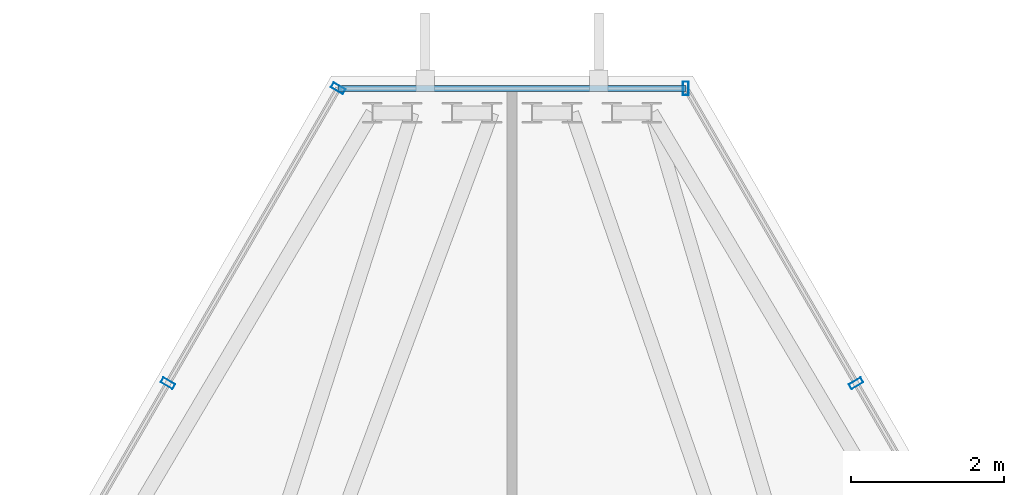
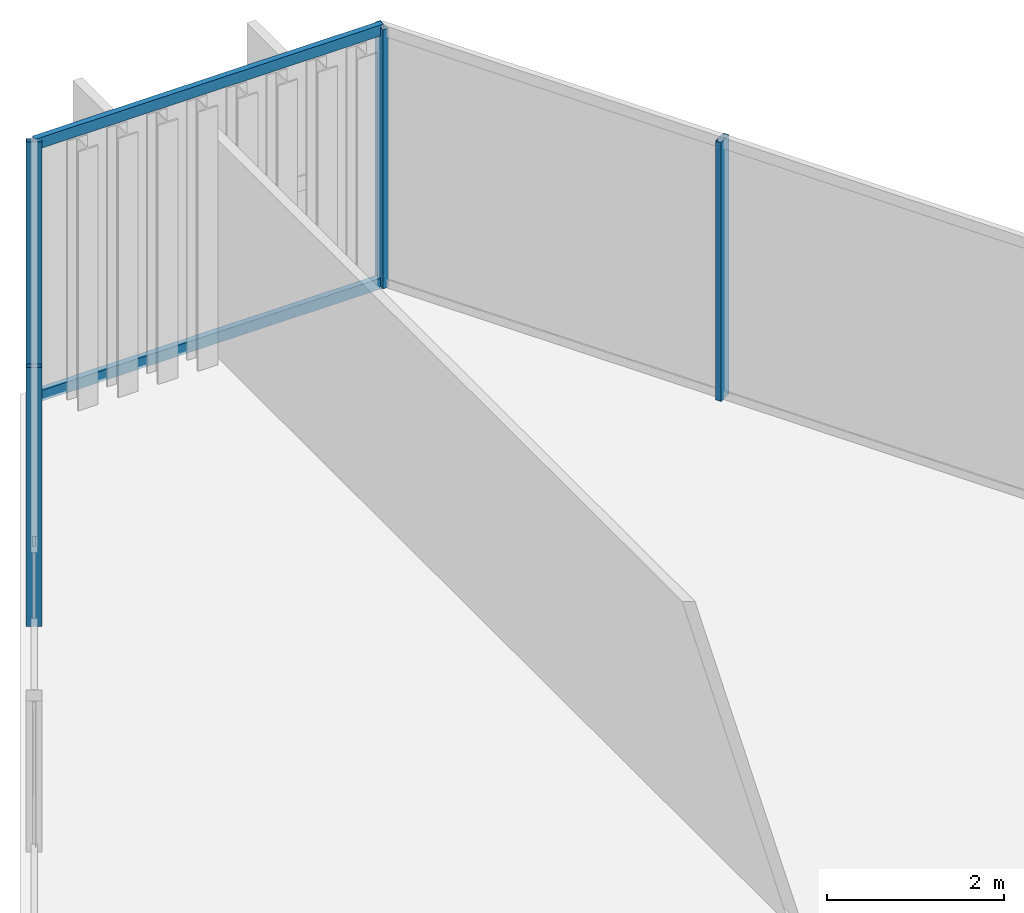
# One storey, part 25 of 32: 6 members, 3 elements without a shape of their own.
"""IFC4 building model written with IfcOpenShell, lengths in metres."""

from ifc_helpers import new_model, si_unit, direction, frame, origin, origin_2d, place, context, subcontext, project, spatial, hollow_rectangle, extrude, material, layer, layer_set, material_profile, profile_set, type_object, element, aggregate, save


model = new_model("IFC4")

# Units and contexts
model_context = context("Model", 3, precision=1e-05, world=origin(), true_north=direction((0.0, 1.0)))
body_context = subcontext(model_context, "Body", "Model", "MODEL_VIEW")
ifc_project = project(units=[si_unit("LENGTHUNIT", "METRE"), si_unit("AREAUNIT", "SQUARE_METRE"), si_unit("VOLUMEUNIT", "CUBIC_METRE"), si_unit("PLANEANGLEUNIT", "RADIAN"), si_unit("MASSUNIT", "GRAM", prefix="KILO")], contexts=[model_context])

# Site, building, storey
site_placement = place(None, origin())
site = spatial("IfcSite", under=ifc_project, at=site_placement, CompositionType="ELEMENT")
building_placement = place(site_placement, origin())
building = spatial("IfcBuilding", under=site, at=building_placement, Name="Ndaravel Arena Tower", CompositionType="ELEMENT")
storey_placement = place(building_placement, frame((0.0, 0.0, 287.10009765625)))
storey = spatial("IfcBuildingStorey", under=building, at=storey_placement, Name="L70", CompositionType="ELEMENT", Elevation=287.10009765625)

# Curtain wall, member
ifc_material_1 = material(Name="Aluminium", Category="aluminium")
ifc_layer_1 = layer(ifc_material_1, 0.179931640625)
ifc_layer_set_1 = layer_set([ifc_layer_1], Name="Aluminium")
curtain_wall_type_1 = type_object("IfcCurtainWallType", Name="CW-SYS-03", PredefinedType="NOTDEFINED", material=ifc_layer_set_1)
curtain_wall_1_placement = place(storey_placement, origin())
curtain_wall_1 = element("IfcCurtainWall", 1, at=curtain_wall_1_placement, inside=storey, type_object=curtain_wall_type_1, Name="L70 Faceted Crystal Curtain Wall CW-L70-E03", PredefinedType="NOTDEFINED")
ifc_material_2 = material(Name="Aluminium", Category="aluminium")
ifc_material_profile_1 = material_profile(ifc_material_2, hollow_rectangle(XDim=0.074951171875, YDim=0.179931640625, WallThickness=0.00390625, at=origin_2d()), Name="CW MULLION 75x180x4")
ifc_profile_set_1 = profile_set([ifc_material_profile_1], Name="Aluminium")
member_type_1 = type_object("IfcMemberType", Name="MEM-CW-MUL180", PredefinedType="MULLION", material=ifc_profile_set_1)
member_1_placement = place(storey_placement, frame((46.49853515625, 39.94189453125, 0.0), z_axis=(0.0, 0.0, 1.0), x_axis=(-0.5, 0.866025403784, 0.0)))
member_1 = element("IfcMember", 2, at=member_1_placement, type_object=member_type_1, Name="CW-L70-E03 Mullion 08", PredefinedType="MULLION", context=body_context, shape_type="SweptSolid", body=[
    extrude(hollow_rectangle(XDim=0.074951171875, YDim=0.179931640625, WallThickness=0.00390625, at=origin_2d()), origin(), (0.0, 0.0, 1.0), 3.579833984375),
])
aggregate(curtain_wall_1, [member_1])

ifc_material_3 = material(Name="Aluminium", Category="aluminium")
ifc_layer_2 = layer(ifc_material_3, 0.179931640625)
ifc_layer_set_2 = layer_set([ifc_layer_2], Name="Aluminium")
curtain_wall_type_2 = type_object("IfcCurtainWallType", Name="CW-SYS-01", PredefinedType="NOTDEFINED", material=ifc_layer_set_2)
curtain_wall_2_placement = place(storey_placement, origin())
curtain_wall_2 = element("IfcCurtainWall", 3, at=curtain_wall_2_placement, inside=storey, type_object=curtain_wall_type_2, Name="L70 Faceted Crystal Curtain Wall CW-L70-E04", PredefinedType="NOTDEFINED")
member_2_placement = place(storey_placement, frame((44.2724609375, 43.797607421875, 0.0), z_axis=(0.0, 0.0, 1.0), x_axis=(-1.0, 0.0, 0.0)))
member_2 = element("IfcMember", 4, at=member_2_placement, type_object=member_type_1, Name="CW-L70-E04 Mullion 00", PredefinedType="MULLION", context=body_context, shape_type="SweptSolid", body=[
    extrude(hollow_rectangle(XDim=0.074951171875, YDim=0.179931640625, WallThickness=0.00390625, at=origin_2d()), origin(), (0.0, 0.0, 1.0), 3.579833984375),
])

# Curtain wall, members
curtain_wall_3_placement = place(storey_placement, origin())
curtain_wall_3 = element("IfcCurtainWall", 5, at=curtain_wall_3_placement, inside=storey, type_object=curtain_wall_type_1, Name="L70 Faceted Crystal Curtain Wall CW-L70-E05", PredefinedType="NOTDEFINED")
member_3_placement = place(storey_placement, frame((39.7275390625, 43.797607421875, 0.0), z_axis=(0.0, 0.0, 1.0), x_axis=(-0.5, -0.866025403784, 0.0)))
member_3 = element("IfcMember", 6, at=member_3_placement, type_object=member_type_1, Name="CW-L70-E05 Mullion 00", PredefinedType="MULLION", context=body_context, shape_type="SweptSolid", body=[
    extrude(hollow_rectangle(XDim=0.074951171875, YDim=0.179931640625, WallThickness=0.00390625, at=origin_2d()), origin(), (0.0, 0.0, 1.0), 3.579833984375),
])
member_4_placement = place(storey_placement, frame((37.50146484375, 39.94189453125, 0.0), z_axis=(0.0, 0.0, 1.0), x_axis=(-0.5, -0.866025403784, 0.0)))
member_4 = element("IfcMember", 7, at=member_4_placement, type_object=member_type_1, Name="CW-L70-E05 Mullion 01", PredefinedType="MULLION", context=body_context, shape_type="SweptSolid", body=[
    extrude(hollow_rectangle(XDim=0.074951171875, YDim=0.179931640625, WallThickness=0.00390625, at=origin_2d()), origin(), (0.0, 0.0, 1.0), 3.579833984375),
])
aggregate(curtain_wall_3, [member_3, member_4])

# Member
ifc_material_4 = material(Name="Aluminium", Category="aluminium")
ifc_material_profile_2 = material_profile(ifc_material_4, hollow_rectangle(XDim=0.074951171875, YDim=0.14990234375, WallThickness=0.00390625, at=origin_2d()), Name="CW TRANSOM 75x150x4")
ifc_profile_set_2 = profile_set([ifc_material_profile_2], Name="Aluminium")
member_type_2 = type_object("IfcMemberType", Name="MEM-CW-TRN150", PredefinedType="USERDEFINED", material=ifc_profile_set_2)
member_5_placement = place(storey_placement, frame((44.2724609375, 43.797607421875, 0.039794921875), z_axis=(-1.0, 0.0, 0.0), x_axis=(0.0, -1.0, 0.0)))
member_5 = element("IfcMember", 8, at=member_5_placement, type_object=member_type_2, Name="CW-L70-E04 Transom 01", ObjectType="TRANSOM", PredefinedType="USERDEFINED", context=body_context, shape_type="SweptSolid", body=[
    extrude(hollow_rectangle(XDim=0.074951171875, YDim=0.14990234375, WallThickness=0.00390625, at=origin_2d()), origin(), (0.0, 0.0, 1.0), 4.544921875),
])

member_6_placement = place(storey_placement, frame((44.2724609375, 43.797607421875, 3.539794921875), z_axis=(-1.0, 0.0, 0.0), x_axis=(0.0, -1.0, 0.0)))
member_6 = element("IfcMember", 9, at=member_6_placement, type_object=member_type_2, Name="CW-L70-E04 Transom 02", ObjectType="TRANSOM", PredefinedType="USERDEFINED", context=body_context, shape_type="SweptSolid", body=[
    extrude(hollow_rectangle(XDim=0.074951171875, YDim=0.14990234375, WallThickness=0.00390625, at=origin_2d()), origin(), (0.0, 0.0, 1.0), 4.544921875),
])

aggregate(curtain_wall_2, [member_2, member_5, member_6])

save(model, "model.ifc")
